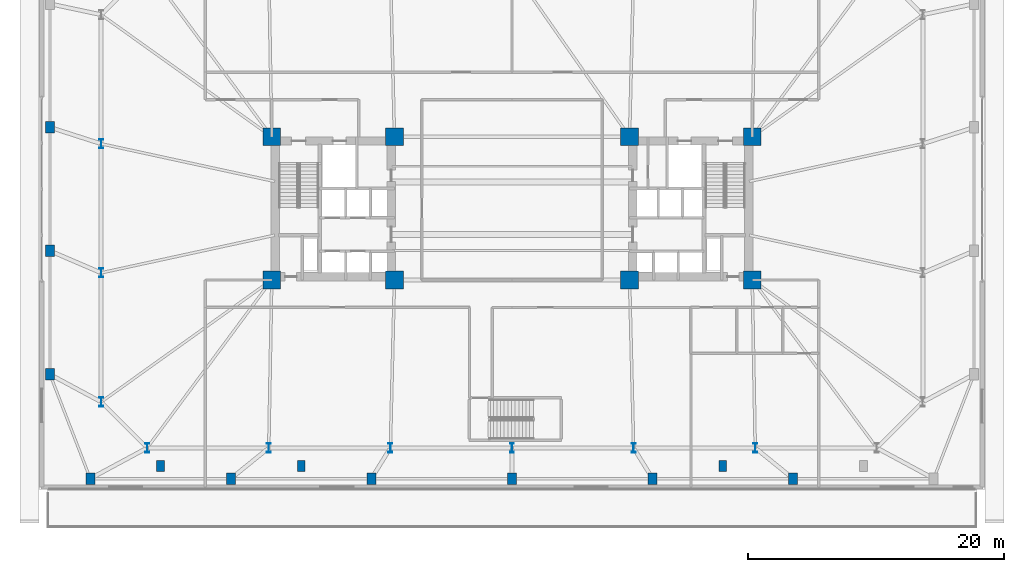
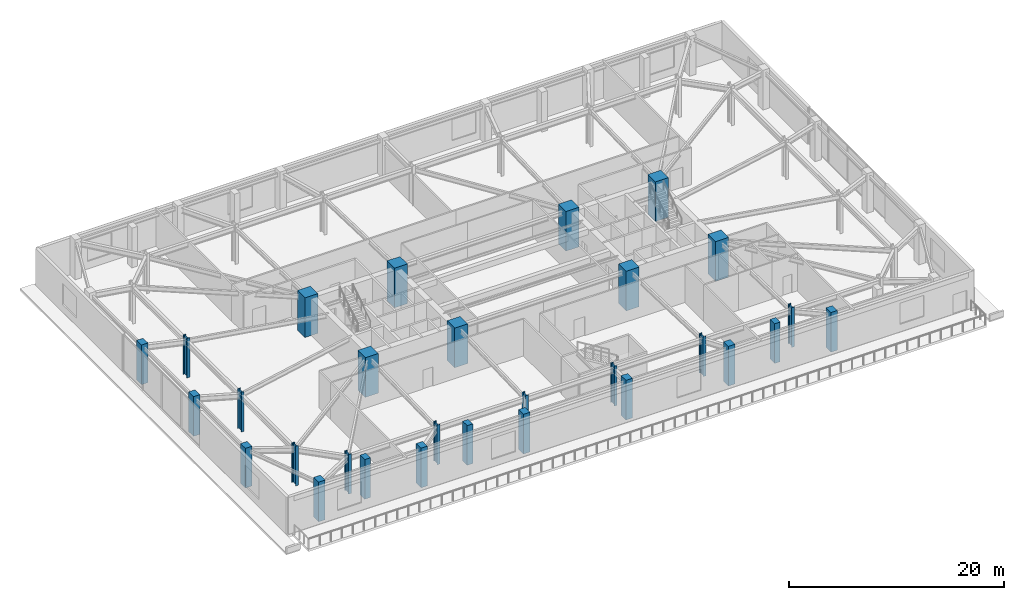
# One storey, part 1 of 21: 29 columns.
"""IFC4 building model written with IfcOpenShell, lengths in metres."""

from ifc_helpers import new_model, si_unit, direction, frame, origin, origin_2d, place, context, subcontext, project, spatial, rectangle, i_section, extrude, material, material_profile, profile_set, type_object, element, save


model = new_model("IFC4")

# Units and contexts
model_context = context("Model", 3, precision=1e-05, world=origin(), true_north=direction((0.0, 1.0)))
body_context = subcontext(model_context, "Body", "Model", "MODEL_VIEW")
ifc_project = project(units=[si_unit("LENGTHUNIT", "METRE"), si_unit("AREAUNIT", "SQUARE_METRE"), si_unit("VOLUMEUNIT", "CUBIC_METRE"), si_unit("PLANEANGLEUNIT", "RADIAN"), si_unit("MASSUNIT", "GRAM", prefix="KILO")], contexts=[model_context])

# Site, building, storey
site_placement = place(None, origin())
site = spatial("IfcSite", under=ifc_project, at=site_placement, CompositionType="ELEMENT")
building_placement = place(site_placement, origin())
building = spatial("IfcBuilding", under=site, at=building_placement, Name="Qobustan Lattice House", CompositionType="ELEMENT")
storey_placement = place(building_placement, frame((0.0, 0.0, 13.5)))
storey = spatial("IfcBuildingStorey", under=building, at=storey_placement, Name="L03", CompositionType="ELEMENT", Elevation=13.5)

# Columns
ifc_material_1 = material(Name="Concrete C50/60", Category="concrete")
ifc_material_profile_1 = material_profile(ifc_material_1, rectangle(XDim=0.60009765625, YDim=0.85009765625, at=origin_2d()), Name="RC600x850")
ifc_profile_set_1 = profile_set([ifc_material_profile_1], Name="Concrete C50/60")
column_type_1 = type_object("IfcColumnType", Name="COL-PIL-600x850", PredefinedType="PILASTER", material=ifc_profile_set_1)
for number, where, z_axis, x_axis, name in (
    (1, (-27.5, -20.14990234375, 0.0), (0.0, 0.0, 1.0), (1.0, 0.0, 0.0), "L03 colonnade pilaster S1"),
    (2, (-16.5, -20.14990234375, 0.0), (0.0, 0.0, 1.0), (1.0, 0.0, 0.0), "L03 colonnade pilaster S2"),
    (3, (16.5, -20.14990234375, 0.0), (0.0, 0.0, 1.0), (1.0, 0.0, 0.0), "L03 colonnade pilaster S3"),
):
    element("IfcColumn", number, at=place(storey_placement, frame(where, z_axis=z_axis, x_axis=x_axis)), inside=storey, type_object=column_type_1, Name=name, PredefinedType="PILASTER", context=body_context, shape_type="SweptSolid", body=[
        extrude(rectangle(XDim=0.60009765625, YDim=0.85009765625, at=origin_2d()), origin(), (0.0, 0.0, 1.0), 4.5),
    ])
ifc_material_2 = material(Name="Concrete C60/75", Category="concrete")
ifc_material_profile_2 = material_profile(ifc_material_2, rectangle(XDim=1.39990234375, YDim=1.39990234375, at=origin_2d()), Name="RC1400x1400")
ifc_profile_set_2 = profile_set([ifc_material_profile_2], Name="Concrete C60/75")
column_type_2 = type_object("IfcColumnType", Name="COL-RC-1400", PredefinedType="COLUMN", material=ifc_profile_set_2)
for number, where, z_axis, x_axis, name in (
    (4, (-18.800048828125, -5.60009765625, 0.0), (0.0, 0.0, 1.0), (1.0, 0.0, 0.0), "L03 core mega-column CW-SW"),
    (5, (-18.800048828125, 5.60009765625, 0.0), (0.0, 0.0, 1.0), (1.0, 0.0, 0.0), "L03 core mega-column CW-NW"),
    (6, (-9.199951171875, -5.60009765625, 0.0), (0.0, 0.0, 1.0), (1.0, 0.0, 0.0), "L03 core mega-column CW-SE"),
    (7, (-9.199951171875, 5.60009765625, 0.0), (0.0, 0.0, 1.0), (1.0, 0.0, 0.0), "L03 core mega-column CW-NE"),
    (8, (9.199951171875, -5.60009765625, 0.0), (0.0, 0.0, 1.0), (1.0, 0.0, 0.0), "L03 core mega-column CE-SW"),
    (9, (9.199951171875, 5.60009765625, 0.0), (0.0, 0.0, 1.0), (1.0, 0.0, 0.0), "L03 core mega-column CE-NW"),
    (10, (18.800048828125, -5.60009765625, 0.0), (0.0, 0.0, 1.0), (1.0, 0.0, 0.0), "L03 core mega-column CE-SE"),
    (11, (18.800048828125, 5.60009765625, 0.0), (0.0, 0.0, 1.0), (1.0, 0.0, 0.0), "L03 core mega-column CE-NE"),
):
    element("IfcColumn", number, at=place(storey_placement, frame(where, z_axis=z_axis, x_axis=x_axis)), inside=storey, type_object=column_type_2, Name=name, PredefinedType="COLUMN", context=body_context, shape_type="SweptSolid", body=[
        extrude(rectangle(XDim=1.39990234375, YDim=1.39990234375, at=origin_2d()), origin(), (0.0, 0.0, 1.0), 4.5),
    ])
ifc_material_3 = material(Name="Concrete C50/60", Category="concrete")
ifc_material_profile_3 = material_profile(ifc_material_3, rectangle(XDim=0.699951171875, YDim=0.89990234375, at=origin_2d()), Name="RC700x900")
ifc_profile_set_3 = profile_set([ifc_material_profile_3], Name="Concrete C50/60")
column_type_3 = type_object("IfcColumnType", Name="COL-RC-700x900", PredefinedType="COLUMN", material=ifc_profile_set_3)
for number, where, z_axis, x_axis, name in (
    (12, (-33.0, -21.14990234375, 0.0), (0.0, 0.0, 1.0), (1.0, 0.0, 0.0), "L03 podium column PS1"),
    (13, (-22.0, -21.14990234375, 0.0), (0.0, 0.0, 1.0), (1.0, 0.0, 0.0), "L03 podium column PS2"),
    (14, (-11.0, -21.14990234375, 0.0), (0.0, 0.0, 1.0), (1.0, 0.0, 0.0), "L03 podium column PS3"),
    (15, (0.0, -21.14990234375, 0.0), (0.0, 0.0, 1.0), (1.0, 0.0, 0.0), "L03 podium column PS4"),
    (16, (11.0, -21.14990234375, 0.0), (0.0, 0.0, 1.0), (1.0, 0.0, 0.0), "L03 podium column PS5"),
    (17, (22.0, -21.14990234375, 0.0), (0.0, 0.0, 1.0), (1.0, 0.0, 0.0), "L03 podium column PS6"),
    (18, (-36.14990234375, -13.0, 0.0), (0.0, 0.0, 1.0), (1.0, 0.0, 0.0), "L03 podium column PW1"),
    (19, (-36.14990234375, -3.333251953125, 0.0), (0.0, 0.0, 1.0), (1.0, 0.0, 0.0), "L03 podium column PW2"),
    (20, (-36.14990234375, 6.33349609375, 0.0), (0.0, 0.0, 1.0), (1.0, 0.0, 0.0), "L03 podium column PW3"),
):
    element("IfcColumn", number, at=place(storey_placement, frame(where, z_axis=z_axis, x_axis=x_axis)), inside=storey, type_object=column_type_3, Name=name, PredefinedType="COLUMN", context=body_context, shape_type="SweptSolid", body=[
        extrude(rectangle(XDim=0.699951171875, YDim=0.89990234375, at=origin_2d()), origin(), (0.0, 0.0, 1.0), 4.5),
    ])
ifc_material_4 = material(Name="Steel S460", Category="steel")
ifc_material_profile_4 = material_profile(ifc_material_4, i_section(OverallWidth=0.303955078125, OverallDepth=0.716064453125, WebThickness=0.02099609375, FlangeThickness=0.0400390625, FilletRadius=0.027099609375, at=origin_2d()), Name="HEM700")
ifc_profile_set_4 = profile_set([ifc_material_profile_4], Name="Steel S460")
column_type_4 = type_object("IfcColumnType", Name="COL-ST-HEM700", PredefinedType="COLUMN", material=ifc_profile_set_4)
for number, where, z_axis, x_axis, name in (
    (21, (-28.550048828125, -18.75, 0.0), (0.0, 0.0, 1.0), (1.0, 0.0, 0.0), "L03 tower base column S1"),
    (22, (-19.033203125, -18.75, 0.0), (0.0, 0.0, 1.0), (1.0, 0.0, 0.0), "L03 tower base column S2"),
    (23, (-9.5166015625, -18.75, 0.0), (0.0, 0.0, 1.0), (1.0, 0.0, 0.0), "L03 tower base column S3"),
    (24, (0.0, -18.75, 0.0), (0.0, 0.0, 1.0), (1.0, 0.0, 0.0), "L03 tower base column S4"),
    (25, (9.5166015625, -18.75, 0.0), (0.0, 0.0, 1.0), (1.0, 0.0, 0.0), "L03 tower base column S5"),
    (26, (19.033203125, -18.75, 0.0), (0.0, 0.0, 1.0), (1.0, 0.0, 0.0), "L03 tower base column S6"),
    (27, (-32.14990234375, 5.050048828125, 0.0), (0.0, 0.0, 1.0), (1.0, 0.0, 0.0), "L03 tower base column W2"),
    (28, (-32.14990234375, -5.050048828125, 0.0), (0.0, 0.0, 1.0), (1.0, 0.0, 0.0), "L03 tower base column W3"),
    (29, (-32.14990234375, -15.14990234375, 0.0), (0.0, 0.0, 1.0), (1.0, 0.0, 0.0), "L03 tower base column W4"),
):
    element("IfcColumn", number, at=place(storey_placement, frame(where, z_axis=z_axis, x_axis=x_axis)), inside=storey, type_object=column_type_4, Name=name, PredefinedType="COLUMN", context=body_context, shape_type="SweptSolid", body=[
        extrude(i_section(OverallWidth=0.303955078125, OverallDepth=0.716064453125, WebThickness=0.02099609375, FlangeThickness=0.0400390625, FilletRadius=0.027099609375, at=origin_2d()), origin(), (0.0, 0.0, 1.0), 4.5),
    ])

save(model, "model.ifc")
